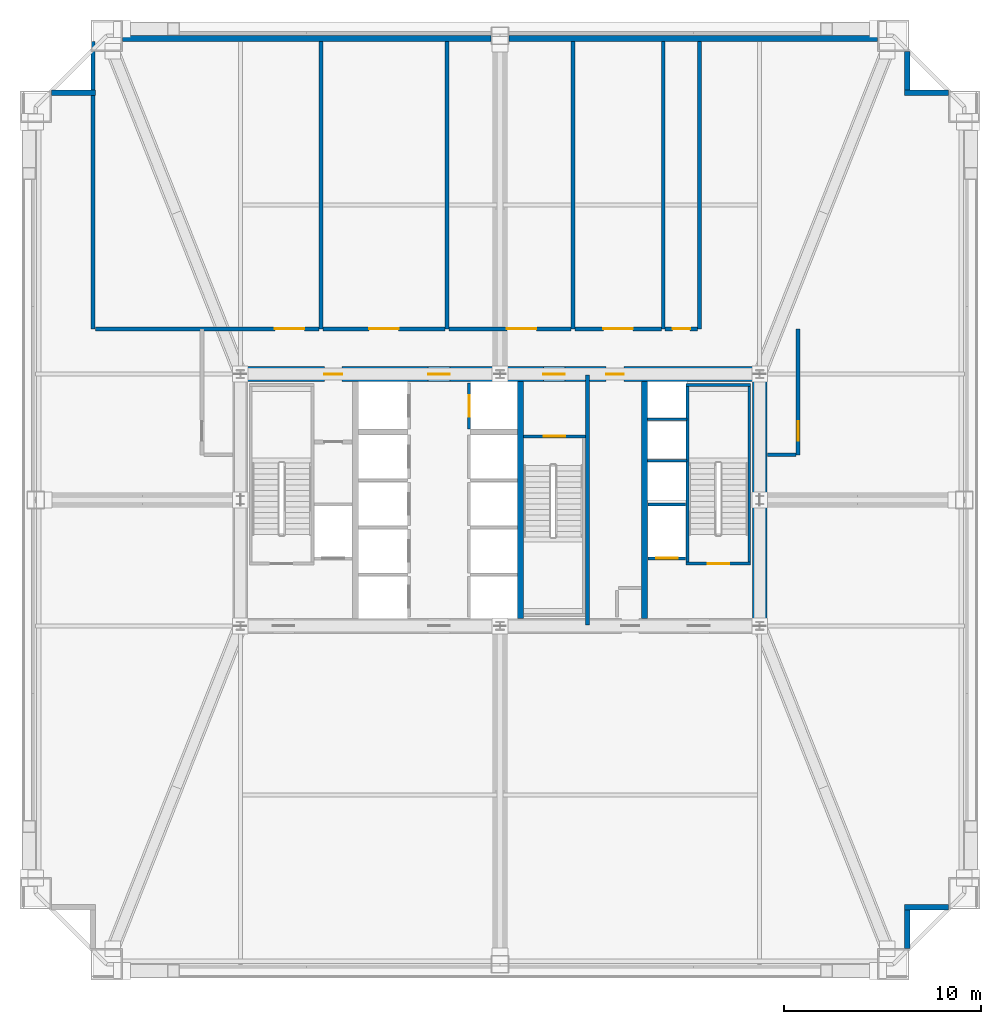
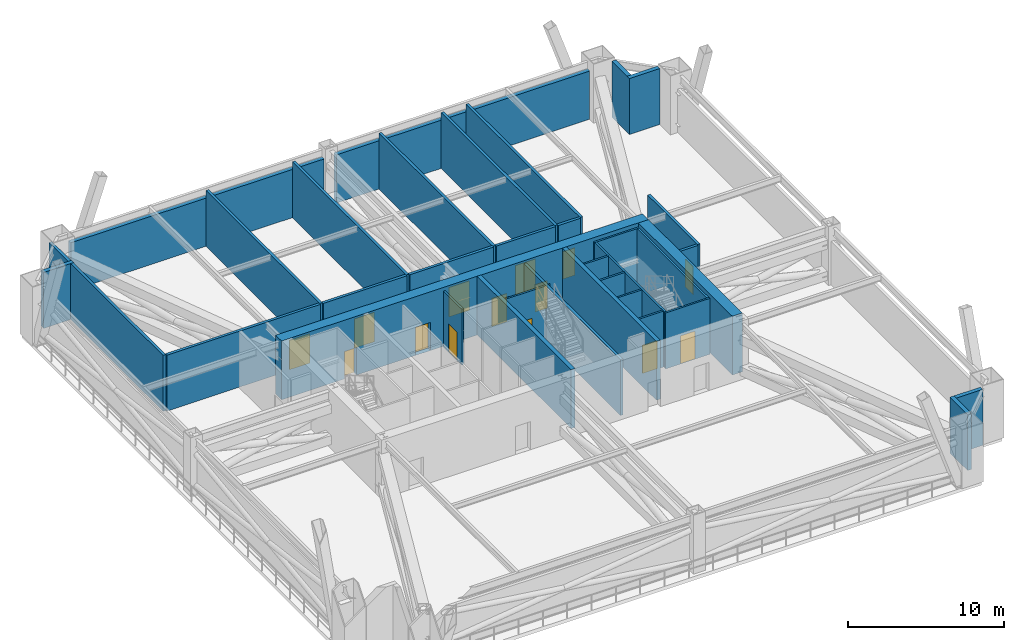
# One storey, part 5 of 10: 35 walls, 14 doors, 14 openings.
"""IFC4 building model written with IfcOpenShell, lengths in metres."""

from ifc_helpers import new_model, si_unit, direction, frame, frame_2d, origin, place, context, subcontext, project, spatial, rectangle, extrude, source, transform, mapped, material, layer, layer_set, type_object, element, fill, save


model = new_model("IFC4")

# Units and contexts
model_context = context("Model", 3, precision=1e-05, world=origin(), true_north=direction((0.0, 1.0)))
body_context = subcontext(model_context, "Body", "Model", "MODEL_VIEW")
ifc_project = project(units=[si_unit("LENGTHUNIT", "METRE"), si_unit("AREAUNIT", "SQUARE_METRE"), si_unit("VOLUMEUNIT", "CUBIC_METRE"), si_unit("PLANEANGLEUNIT", "RADIAN"), si_unit("MASSUNIT", "GRAM", prefix="KILO"), si_unit("THERMODYNAMICTEMPERATUREUNIT", "KELVIN"), si_unit("POWERUNIT", "WATT")], contexts=[model_context])

# Site, building, storey
site_placement = place(None, origin())
site = spatial("IfcSite", under=ifc_project, at=site_placement, CompositionType="ELEMENT")
building_placement = place(site_placement, origin())
building = spatial("IfcBuilding", under=site, at=building_placement, Name="Yuzanri Waterfront Tower", CompositionType="ELEMENT")
storey_placement = place(building_placement, frame((0.0, 0.0, 129.800048828125)))
storey = spatial("IfcBuildingStorey", under=building, at=storey_placement, Name="L34", CompositionType="ELEMENT", Elevation=129.800048828125)

# Wall, openings, doors
ifc_material_1 = material(Name="Concrete C55", Category="concrete")
ifc_layer_1 = layer(ifc_material_1, 0.75)
ifc_layer_set_1 = layer_set([ifc_layer_1], Name="Concrete C55")
wall_type_1 = type_object("IfcWallType", Name="Concrete C55 Low-Mid Zone Core Shear Wall 750", PredefinedType="SHEAR", material=ifc_layer_set_1)
wall_1_placement = place(storey_placement, frame((23.425048828125, 32.199951171875, 0.0), z_axis=(0.0, 0.0, 1.0), x_axis=(1.0, 0.0, 0.0)))
wall_1 = element("IfcWall", 1, at=wall_1_placement, inside=storey, type_object=wall_type_1, Name="L34 Core North Shear Wall", PredefinedType="SHEAR", context=body_context, shape_type="SweptSolid", body=[
    extrude(rectangle(XDim=27.14990234375, YDim=0.75, at=frame_2d((13.574951171875, 0.0))), origin(), (0.0, 0.0, 1.0), 4.599853515625),
])
opening_1_placement = place(wall_1_placement, frame((4.64501953125, 0.0, 0.0)))
opening_1 = element("IfcOpeningElement", 2, at=opening_1_placement, cuts=wall_1, Name="Opening FD-0900", PredefinedType="OPENING", context=body_context, shape_type="SweptSolid", body=[
    extrude(rectangle(XDim=0.89990234375, YDim=2.14990234375, at=frame_2d((0.449951171875, 1.074951171875))), frame((0.0, 0.389892578125, 0.0), z_axis=(0.0, -1.0, 0.0), x_axis=(1.0, 0.0, 0.0)), (0.0, 0.0, 1.0), 0.77978515625),
])
opening_2_placement = place(wall_1_placement, frame((9.925048828125, 0.0, 0.0)))
opening_2 = element("IfcOpeningElement", 3, at=opening_2_placement, cuts=wall_1, Name="Opening FD-1100", PredefinedType="OPENING", context=body_context, shape_type="SweptSolid", body=[
    extrude(rectangle(XDim=1.10009765625, YDim=2.199951171875, at=frame_2d((0.550048828125, 1.10009765625))), frame((0.0, 0.389892578125, 0.0), z_axis=(0.0, -1.0, 0.0), x_axis=(1.0, 0.0, 0.0)), (0.0, 0.0, 1.0), 0.77978515625),
])
opening_3_placement = place(wall_1_placement, frame((15.77490234375, 0.0, 0.0)))
opening_3 = element("IfcOpeningElement", 4, at=opening_3_placement, cuts=wall_1, Name="Opening FD-1100", PredefinedType="OPENING", context=body_context, shape_type="SweptSolid", body=[
    extrude(rectangle(XDim=1.10009765625, YDim=2.199951171875, at=frame_2d((0.550048828125, 1.10009765625))), frame((0.0, 0.389892578125, 0.0), z_axis=(0.0, -1.0, 0.0), x_axis=(1.0, 0.0, 0.0)), (0.0, 0.0, 1.0), 0.77978515625),
])
opening_4_placement = place(wall_1_placement, frame((18.97509765625, 0.0, 0.0)))
opening_4 = element("IfcOpeningElement", 5, at=opening_4_placement, cuts=wall_1, Name="Opening FD-0900", PredefinedType="OPENING", context=body_context, shape_type="SweptSolid", body=[
    extrude(rectangle(XDim=0.89990234375, YDim=2.14990234375, at=frame_2d((0.449951171875, 1.074951171875))), frame((0.0, 0.389892578125, 0.0), z_axis=(0.0, -1.0, 0.0), x_axis=(1.0, 0.0, 0.0)), (0.0, 0.0, 1.0), 0.77978515625),
])
ifc_material_2 = material(Name="Painted Galvanized Fire Steel", Category="steel")
door_type_1 = type_object("IfcDoorType", Name="Smoke-Proof Stair and Lobby Fire Door 1100x2200", OperationType="NOTDEFINED", PredefinedType="DOOR", material=ifc_material_2)
shared_shape_1 = source(origin(), body_context, "Body", "SweptSolid", [
    extrude(rectangle(XDim=1.10009765625, YDim=2.199951171875, at=frame_2d((0.550048828125, 1.10009765625))), frame((0.0, 0.02490234375, 0.0), z_axis=(0.0, -1.0, 0.0), x_axis=(1.0, 0.0, 0.0)), (0.0, 0.0, 1.0), 0.050048828125),
])
door_1_placement = place(opening_2_placement, origin())
door_1 = element("IfcDoor", 6, at=door_1_placement, inside=storey, type_object=door_type_1, Name="L34 Central Lift Lobby North Door", OperationType="SINGLE_SWING_RIGHT", OverallHeight=2.199951171875, OverallWidth=1.10009765625, PredefinedType="DOOR", context=body_context, shape_type="MappedRepresentation", body=[
    mapped(shared_shape_1, transform((0.0, 0.0, 0.0), scale=1.0)),
])
fill(opening_2, door_1)
door_2_placement = place(opening_3_placement, origin())
door_2 = element("IfcDoor", 7, at=door_2_placement, inside=storey, type_object=door_type_1, Name="L34 North Stair Lobby Door", OperationType="SINGLE_SWING_LEFT", OverallHeight=2.199951171875, OverallWidth=1.10009765625, PredefinedType="DOOR", context=body_context, shape_type="MappedRepresentation", body=[
    mapped(shared_shape_1, transform((0.0, 0.0, 0.0), scale=1.0)),
])
fill(opening_3, door_2)
ifc_material_3 = material(Name="Painted Galvanized Fire Steel", Category="steel")
door_type_2 = type_object("IfcDoorType", Name="Riser and Service Room Fire Door 900x2150", OperationType="NOTDEFINED", PredefinedType="DOOR", material=ifc_material_3)
shared_shape_2 = source(origin(), body_context, "Body", "SweptSolid", [
    extrude(rectangle(XDim=0.89990234375, YDim=2.14990234375, at=frame_2d((0.449951171875, 1.074951171875))), frame((0.0, 0.02490234375, 0.0), z_axis=(0.0, -1.0, 0.0), x_axis=(1.0, 0.0, 0.0)), (0.0, 0.0, 1.0), 0.050048828125),
])
door_3_placement = place(opening_1_placement, origin())
door_3 = element("IfcDoor", 8, at=door_3_placement, inside=storey, type_object=door_type_2, Name="L34 Telecom Riser Door", OperationType="SINGLE_SWING_LEFT", OverallHeight=2.14990234375, OverallWidth=0.89990234375, PredefinedType="DOOR", context=body_context, shape_type="MappedRepresentation", body=[
    mapped(shared_shape_2, transform((0.0, 0.0, 0.0), scale=1.0)),
])
fill(opening_1, door_3)
door_4_placement = place(opening_4_placement, origin())
door_4 = element("IfcDoor", 9, at=door_4_placement, inside=storey, type_object=door_type_2, Name="L34 Refuge Mechanical Equipment Store Room", OperationType="SINGLE_SWING_RIGHT", OverallHeight=2.14990234375, OverallWidth=0.89990234375, PredefinedType="DOOR", context=body_context, shape_type="MappedRepresentation", body=[
    mapped(shared_shape_2, transform((0.0, 0.0, 0.0), scale=1.0)),
])
fill(opening_4, door_4)

# Wall, opening, door
ifc_material_4 = material(Name="Concrete C40", Category="concrete")
ifc_layer_2 = layer(ifc_material_4, 0.139892578125)
ifc_layer_set_2 = layer_set([ifc_layer_2], Name="Concrete C40")
wall_type_2 = type_object("IfcWallType", Name="Core Stair Liner and Hoistway Shaft Wall 140", PredefinedType="SOLIDWALL", material=ifc_layer_set_2)
wall_2_placement = place(storey_placement, frame((44.52001953125, 22.830078125, 0.0), z_axis=(0.0, 0.0, 1.0), x_axis=(1.0, 0.0, 0.0)))
wall_2 = element("IfcWall", 10, at=wall_2_placement, inside=storey, type_object=wall_type_2, Name="L34 Lift FL-02 Front Shaft Wall", PredefinedType="SOLIDWALL", context=body_context, shape_type="SweptSolid", body=[
    extrude(rectangle(XDim=1.919921875, YDim=0.139892578125, at=frame_2d((0.9599609375, 0.0))), origin(), (0.0, 0.0, 1.0), 4.3798828125),
])
opening_5_placement = place(wall_2_placement, frame((0.409912109375, 0.0, 0.0)))
opening_5 = element("IfcOpeningElement", 11, at=opening_5_placement, cuts=wall_2, Name="Opening LD-FL-02", PredefinedType="OPENING", context=body_context, shape_type="SweptSolid", body=[
    extrude(rectangle(XDim=1.10009765625, YDim=2.199951171875, at=frame_2d((0.550048828125, 1.10009765625))), frame((0.0, 0.0849609375, 0.0), z_axis=(0.0, -1.0, 0.0), x_axis=(1.0, 0.0, 0.0)), (0.0, 0.0, 1.0), 0.169677734375),
])
ifc_material_5 = material(Name="Brushed Bronze and Stainless Steel Cab", Category="steel")
door_type_3 = type_object("IfcDoorType", Name="Center-Parting Bronze Lift Landing Sliding Door 1100x2200", OperationType="NOTDEFINED", PredefinedType="DOOR", material=ifc_material_5)
shared_shape_3 = source(origin(), body_context, "Body", "SweptSolid", [
    extrude(rectangle(XDim=1.10009765625, YDim=2.199951171875, at=frame_2d((0.550048828125, 1.10009765625))), frame((0.0, 0.02490234375, 0.0), z_axis=(0.0, -1.0, 0.0), x_axis=(1.0, 0.0, 0.0)), (0.0, 0.0, 1.0), 0.050048828125),
])
door_5_placement = place(opening_5_placement, origin())
door_5 = element("IfcDoor", 12, at=door_5_placement, inside=storey, type_object=door_type_3, Name="L34 FL-02 Lift Landing Sliding Door", OperationType="SLIDING_TO_RIGHT", OverallHeight=2.199951171875, OverallWidth=1.10009765625, PredefinedType="DOOR", context=body_context, shape_type="MappedRepresentation", body=[
    mapped(shared_shape_3, transform((0.0, 0.0, 0.0), scale=1.0)),
])
fill(opening_5, door_5)

wall_3_placement = place(storey_placement, frame((35.429931640625, 29.39990234375, 0.0), z_axis=(0.0, 0.0, 1.0), x_axis=(0.0, 1.0, 0.0)))
wall_3 = element("IfcWall", 13, at=wall_3_placement, inside=storey, type_object=wall_type_2, Name="L34 Lift SL-02 Front Shaft Wall", PredefinedType="SOLIDWALL", context=body_context, shape_type="SweptSolid", body=[
    extrude(rectangle(XDim=2.340087890625, YDim=0.139892578125, at=frame_2d((1.169921875, 0.0))), origin(), (0.0, 0.0, 1.0), 4.3798828125),
])
opening_6_placement = place(wall_3_placement, frame((0.6201171875, 0.0, 0.0)))
opening_6 = element("IfcOpeningElement", 14, at=opening_6_placement, cuts=wall_3, Name="Opening LD-SL-02", PredefinedType="OPENING", context=body_context, shape_type="SweptSolid", body=[
    extrude(rectangle(XDim=1.10009765625, YDim=2.199951171875, at=frame_2d((0.550048828125, 1.10009765625))), frame((0.0, 0.0849609375, 0.0), z_axis=(0.0, -1.0, 0.0), x_axis=(1.0, 0.0, 0.0)), (0.0, 0.0, 1.0), 0.169677734375),
])
door_6_placement = place(opening_6_placement, origin())
door_6 = element("IfcDoor", 15, at=door_6_placement, inside=storey, type_object=door_type_3, Name="L34 SL-02 Lift Landing Sliding Door", OperationType="SLIDING_TO_RIGHT", OverallHeight=2.199951171875, OverallWidth=1.10009765625, PredefinedType="DOOR", context=body_context, shape_type="MappedRepresentation", body=[
    mapped(shared_shape_3, transform((0.0, 0.0, 0.0), scale=1.0)),
])
fill(opening_6, door_6)

wall_4_placement = place(storey_placement, frame((46.4599609375, 22.570068359375, 0.0), z_axis=(0.0, 0.0, 1.0), x_axis=(1.0, 0.0, 0.0)))
wall_4 = element("IfcWall", 16, at=wall_4_placement, inside=storey, type_object=wall_type_2, Name="L34 Shaft Wall STW-L34-ST-02-S", PredefinedType="SOLIDWALL", context=body_context, shape_type="SweptSolid", body=[
    extrude(rectangle(XDim=3.280029296875, YDim=0.139892578125, at=frame_2d((1.64013671875, 0.0))), origin(), (0.0, 0.0, 1.0), 4.3798828125),
])
opening_7_placement = place(wall_4_placement, frame((1.090087890625, 0.0, 0.0)))
opening_7 = element("IfcOpeningElement", 17, at=opening_7_placement, cuts=wall_4, Name="Opening FD-1100", PredefinedType="OPENING", context=body_context, shape_type="SweptSolid", body=[
    extrude(rectangle(XDim=1.10009765625, YDim=2.199951171875, at=frame_2d((0.550048828125, 1.10009765625))), frame((0.0, 0.0849609375, 0.0), z_axis=(0.0, -1.0, 0.0), x_axis=(1.0, 0.0, 0.0)), (0.0, 0.0, 1.0), 0.169677734375),
])
door_7_placement = place(opening_7_placement, origin())
door_7 = element("IfcDoor", 18, at=door_7_placement, inside=storey, type_object=door_type_1, Name="L34 Stair ST-02 Fire Door", OperationType="SINGLE_SWING_RIGHT", OverallHeight=2.199951171875, OverallWidth=1.10009765625, PredefinedType="DOOR", context=body_context, shape_type="MappedRepresentation", body=[
    mapped(shared_shape_1, transform((0.0, 0.0, 0.0), scale=1.0)),
])
fill(opening_7, door_7)

wall_5_placement = place(storey_placement, frame((38.199951171875, 29.030029296875, 0.0), z_axis=(0.0, 0.0, 1.0), x_axis=(1.0, 0.0, 0.0)))
wall_5 = element("IfcWall", 19, at=wall_5_placement, inside=storey, type_object=wall_type_2, Name="L34 Shaft Wall STW-L34-ST-03-N", PredefinedType="SOLIDWALL", context=body_context, shape_type="SweptSolid", body=[
    extrude(rectangle(XDim=3.14013671875, YDim=0.139892578125, at=frame_2d((1.570068359375, 0.0))), origin(), (0.0, 0.0, 1.0), 4.3798828125),
])
opening_8_placement = place(wall_5_placement, frame((1.02001953125, 0.0, 0.0)))
opening_8 = element("IfcOpeningElement", 20, at=opening_8_placement, cuts=wall_5, Name="Opening FD-1100", PredefinedType="OPENING", context=body_context, shape_type="SweptSolid", body=[
    extrude(rectangle(XDim=1.10009765625, YDim=2.199951171875, at=frame_2d((0.550048828125, 1.10009765625))), frame((0.0, 0.0849609375, 0.0), z_axis=(0.0, -1.0, 0.0), x_axis=(1.0, 0.0, 0.0)), (0.0, 0.0, 1.0), 0.169677734375),
])
door_8_placement = place(opening_8_placement, origin())
door_8 = element("IfcDoor", 21, at=door_8_placement, inside=storey, type_object=door_type_1, Name="L34 Stair ST-03 Fire Door", OperationType="SINGLE_SWING_LEFT", OverallHeight=2.199951171875, OverallWidth=1.10009765625, PredefinedType="DOOR", context=body_context, shape_type="MappedRepresentation", body=[
    mapped(shared_shape_1, transform((0.0, 0.0, 0.0), scale=1.0)),
])
fill(opening_8, door_8)

ifc_material_6 = material(Name="Autoclaved Aerated Concrete Blockwork", Category="masonry")
ifc_layer_3 = layer(ifc_material_6, 0.199951171875)
ifc_layer_set_3 = layer_set([ifc_layer_3], Name="Autoclaved Aerated Concrete Blockwork")
wall_type_3 = type_object("IfcWallType", Name="Corridor and Unit Party Fire Wall 200", PredefinedType="PARTITIONING", material=ifc_layer_set_3)
wall_6_placement = place(storey_placement, frame((52.14990234375, 28.10009765625, 0.0), z_axis=(0.0, 0.0, 1.0), x_axis=(0.0, 1.0, 0.0)))
wall_6 = element("IfcWall", 22, at=wall_6_placement, inside=storey, type_object=wall_type_3, Name="L34 Partition RFW-L34-CE", PredefinedType="PARTITIONING", context=body_context, shape_type="SweptSolid", body=[
    extrude(rectangle(XDim=6.39990234375, YDim=0.199951171875, at=frame_2d((3.199951171875, 0.0))), origin(), (0.0, 0.0, 1.0), 4.3798828125),
])
opening_9_placement = place(wall_6_placement, frame((0.699951171875, 0.0, 0.0)))
opening_9 = element("IfcOpeningElement", 23, at=opening_9_placement, cuts=wall_6, Name="Opening TD-1000", PredefinedType="OPENING", context=body_context, shape_type="SweptSolid", body=[
    extrude(rectangle(XDim=1.0, YDim=2.199951171875, at=frame_2d((0.5, 1.10009765625))), frame((0.0, 0.11474609375, 0.0), z_axis=(0.0, -1.0, 0.0), x_axis=(1.0, 0.0, 0.0)), (0.0, 0.0, 1.0), 0.229736328125),
])
ifc_material_7 = material(Name="Anodized Architectural Bronze", Category="metal")
door_type_4 = type_object("IfcDoorType", Name="Anodized Bronze Refuge Deck Weatherproof Exit Door 1000x2200", OperationType="NOTDEFINED", PredefinedType="DOOR", material=ifc_material_7)
shared_shape_4 = source(origin(), body_context, "Body", "SweptSolid", [
    extrude(rectangle(XDim=1.0, YDim=2.199951171875, at=frame_2d((0.5, 1.10009765625))), frame((0.0, 0.02490234375, 0.0), z_axis=(0.0, -1.0, 0.0), x_axis=(1.0, 0.0, 0.0)), (0.0, 0.0, 1.0), 0.050048828125),
])
door_9_placement = place(opening_9_placement, origin())
door_9 = element("IfcDoor", 24, at=door_9_placement, inside=storey, type_object=door_type_4, Name="L34 East Refuge Deck Exit Door", OperationType="SINGLE_SWING_RIGHT", OverallHeight=2.199951171875, OverallWidth=1.0, PredefinedType="DOOR", context=body_context, shape_type="MappedRepresentation", body=[
    mapped(shared_shape_4, transform((0.0, 0.0, 0.0), scale=1.0)),
])
fill(opening_9, door_9)

wall_7_placement = place(storey_placement, frame((16.43994140625, 34.5, 0.0), z_axis=(0.0, 0.0, 1.0), x_axis=(1.0, 0.0, 0.0)))
wall_7 = element("IfcWall", 25, at=wall_7_placement, inside=storey, type_object=wall_type_3, Name="L34 Partition RFW-L34-016-S", PredefinedType="PARTITIONING", context=body_context, shape_type="SweptSolid", body=[
    extrude(rectangle(XDim=11.360107421875, YDim=0.199951171875, at=frame_2d((5.68017578125, 0.0))), origin(), (0.0, 0.0, 1.0), 4.3798828125),
])
opening_10_placement = place(wall_7_placement, frame((9.110107421875, 0.0, 0.0)))
opening_10 = element("IfcOpeningElement", 26, at=opening_10_placement, cuts=wall_7, Name="Opening FD-1500", PredefinedType="OPENING", context=body_context, shape_type="SweptSolid", body=[
    extrude(rectangle(XDim=1.5, YDim=2.300048828125, at=frame_2d((0.75, 1.14990234375))), frame((0.0, 0.11474609375, 0.0), z_axis=(0.0, -1.0, 0.0), x_axis=(1.0, 0.0, 0.0)), (0.0, 0.0, 1.0), 0.229736328125),
])
ifc_material_8 = material(Name="Painted Galvanized Fire Steel", Category="steel")
door_type_5 = type_object("IfcDoorType", Name="Plant and Ballroom Double Fire Door 1500x2300", OperationType="NOTDEFINED", PredefinedType="DOOR", material=ifc_material_8)
shared_shape_5 = source(origin(), body_context, "Body", "SweptSolid", [
    extrude(rectangle(XDim=1.5, YDim=2.300048828125, at=frame_2d((0.75, 1.14990234375))), frame((0.0, 0.02490234375, 0.0), z_axis=(0.0, -1.0, 0.0), x_axis=(1.0, 0.0, 0.0)), (0.0, 0.0, 1.0), 0.050048828125),
])
door_10_placement = place(opening_10_placement, origin())
door_10 = element("IfcDoor", 27, at=door_10_placement, inside=storey, type_object=door_type_5, Name="L34 Air-Handling Plant Room", OperationType="DOUBLE_DOOR_SINGLE_SWING", OverallHeight=2.300048828125, OverallWidth=1.5, PredefinedType="DOOR", context=body_context, shape_type="MappedRepresentation", body=[
    mapped(shared_shape_5, transform((0.0, 0.0, 0.0), scale=1.0)),
])
fill(opening_10, door_10)

wall_8_placement = place(storey_placement, frame((28.0, 34.5, 0.0), z_axis=(0.0, 0.0, 1.0), x_axis=(1.0, 0.0, 0.0)))
wall_8 = element("IfcWall", 28, at=wall_8_placement, inside=storey, type_object=wall_type_3, Name="L34 Partition RFW-L34-017-S", PredefinedType="PARTITIONING", context=body_context, shape_type="SweptSolid", body=[
    extrude(rectangle(XDim=6.199951171875, YDim=0.199951171875, at=frame_2d((3.10009765625, 0.0))), origin(), (0.0, 0.0, 1.0), 4.3798828125),
])
opening_11_placement = place(wall_8_placement, frame((2.35009765625, 0.0, 0.0)))
opening_11 = element("IfcOpeningElement", 29, at=opening_11_placement, cuts=wall_8, Name="Opening FD-1500", PredefinedType="OPENING", context=body_context, shape_type="SweptSolid", body=[
    extrude(rectangle(XDim=1.5, YDim=2.300048828125, at=frame_2d((0.75, 1.14990234375))), frame((0.0, 0.11474609375, 0.0), z_axis=(0.0, -1.0, 0.0), x_axis=(1.0, 0.0, 0.0)), (0.0, 0.0, 1.0), 0.229736328125),
])
door_11_placement = place(opening_11_placement, origin())
door_11 = element("IfcDoor", 30, at=door_11_placement, inside=storey, type_object=door_type_5, Name="L34 Fire Booster and Transfer Pump Plant Room", OperationType="DOUBLE_DOOR_SINGLE_SWING", OverallHeight=2.300048828125, OverallWidth=1.5, PredefinedType="DOOR", context=body_context, shape_type="MappedRepresentation", body=[
    mapped(shared_shape_5, transform((0.0, 0.0, 0.0), scale=1.0)),
])
fill(opening_11, door_11)

wall_9_placement = place(storey_placement, frame((34.39990234375, 34.5, 0.0), z_axis=(0.0, 0.0, 1.0), x_axis=(1.0, 0.0, 0.0)))
wall_9 = element("IfcWall", 31, at=wall_9_placement, inside=storey, type_object=wall_type_3, Name="L34 Partition RFW-L34-018-S", PredefinedType="PARTITIONING", context=body_context, shape_type="SweptSolid", body=[
    extrude(rectangle(XDim=6.2001953125, YDim=0.199951171875, at=frame_2d((3.10009765625, 0.0))), origin(), (0.0, 0.0, 1.0), 4.3798828125),
])
opening_12_placement = place(wall_9_placement, frame((2.949951171875, 0.0, 0.0)))
opening_12 = element("IfcOpeningElement", 32, at=opening_12_placement, cuts=wall_9, Name="Opening FD-1500", PredefinedType="OPENING", context=body_context, shape_type="SweptSolid", body=[
    extrude(rectangle(XDim=1.5, YDim=2.300048828125, at=frame_2d((0.75, 1.14990234375))), frame((0.0, 0.11474609375, 0.0), z_axis=(0.0, -1.0, 0.0), x_axis=(1.0, 0.0, 0.0)), (0.0, 0.0, 1.0), 0.229736328125),
])
door_12_placement = place(opening_12_placement, origin())
door_12 = element("IfcDoor", 33, at=door_12_placement, inside=storey, type_object=door_type_5, Name="L34 Plate Heat-Exchanger Plant Room", OperationType="DOUBLE_DOOR_SINGLE_SWING", OverallHeight=2.300048828125, OverallWidth=1.5, PredefinedType="DOOR", context=body_context, shape_type="MappedRepresentation", body=[
    mapped(shared_shape_5, transform((0.0, 0.0, 0.0), scale=1.0)),
])
fill(opening_12, door_12)

wall_10_placement = place(storey_placement, frame((40.800048828125, 34.5, 0.0), z_axis=(0.0, 0.0, 1.0), x_axis=(1.0, 0.0, 0.0)))
wall_10 = element("IfcWall", 34, at=wall_10_placement, inside=storey, type_object=wall_type_3, Name="L34 Partition RFW-L34-019-S", PredefinedType="PARTITIONING", context=body_context, shape_type="SweptSolid", body=[
    extrude(rectangle(XDim=4.39990234375, YDim=0.199951171875, at=frame_2d((2.199951171875, 0.0))), origin(), (0.0, 0.0, 1.0), 4.3798828125),
])
opening_13_placement = place(wall_10_placement, frame((1.449951171875, 0.0, 0.0)))
opening_13 = element("IfcOpeningElement", 35, at=opening_13_placement, cuts=wall_10, Name="Opening FD-1500", PredefinedType="OPENING", context=body_context, shape_type="SweptSolid", body=[
    extrude(rectangle(XDim=1.5, YDim=2.300048828125, at=frame_2d((0.75, 1.14990234375))), frame((0.0, 0.11474609375, 0.0), z_axis=(0.0, -1.0, 0.0), x_axis=(1.0, 0.0, 0.0)), (0.0, 0.0, 1.0), 0.229736328125),
])
door_13_placement = place(opening_13_placement, origin())
door_13 = element("IfcDoor", 36, at=door_13_placement, inside=storey, type_object=door_type_5, Name="L34 Electrical Transformer and UPS Room", OperationType="DOUBLE_DOOR_SINGLE_SWING", OverallHeight=2.300048828125, OverallWidth=1.5, PredefinedType="DOOR", context=body_context, shape_type="MappedRepresentation", body=[
    mapped(shared_shape_5, transform((0.0, 0.0, 0.0), scale=1.0)),
])
fill(opening_13, door_13)

wall_11_placement = place(storey_placement, frame((45.39990234375, 34.5, 0.0), z_axis=(0.0, 0.0, 1.0), x_axis=(1.0, 0.0, 0.0)))
wall_11 = element("IfcWall", 37, at=wall_11_placement, inside=storey, type_object=wall_type_3, Name="L34 Partition RFW-L34-020-S", PredefinedType="PARTITIONING", context=body_context, shape_type="SweptSolid", body=[
    extrude(rectangle(XDim=1.650146484375, YDim=0.199951171875, at=frame_2d((0.8251953125, 0.0))), origin(), (0.0, 0.0, 1.0), 4.3798828125),
])
opening_14_placement = place(wall_11_placement, frame((0.3701171875, 0.0, 0.0)))
opening_14 = element("IfcOpeningElement", 38, at=opening_14_placement, cuts=wall_11, Name="Opening FD-0900", PredefinedType="OPENING", context=body_context, shape_type="SweptSolid", body=[
    extrude(rectangle(XDim=0.89990234375, YDim=2.14990234375, at=frame_2d((0.449951171875, 1.074951171875))), frame((0.0, 0.11474609375, 0.0), z_axis=(0.0, -1.0, 0.0), x_axis=(1.0, 0.0, 0.0)), (0.0, 0.0, 1.0), 0.229736328125),
])
door_14_placement = place(opening_14_placement, origin())
door_14 = element("IfcDoor", 39, at=door_14_placement, inside=storey, type_object=door_type_2, Name="L34 Refuge Accessible WC", OperationType="SINGLE_SWING_LEFT", OverallHeight=2.14990234375, OverallWidth=0.89990234375, PredefinedType="DOOR", context=body_context, shape_type="MappedRepresentation", body=[
    mapped(shared_shape_2, transform((0.0, 0.0, 0.0), scale=1.0)),
])
fill(opening_14, door_14)

# Walls
shared_shape_6 = source(origin(), body_context, "Body", "SweptSolid", [
    extrude(rectangle(XDim=12.050048828125, YDim=0.75, at=frame_2d((6.02490234375, 0.0))), origin(), (0.0, 0.0, 1.0), 4.599853515625),
])
wall_12_placement = place(storey_placement, frame((50.199951171875, 19.77490234375, 0.0), z_axis=(0.0, 0.0, 1.0), x_axis=(0.0, 1.0, 0.0)))
element("IfcWall", 40, at=wall_12_placement, inside=storey, type_object=wall_type_1, Name="L34 Core East Shear Wall", PredefinedType="SHEAR", context=body_context, shape_type="MappedRepresentation", body=[
    mapped(shared_shape_6, transform((0.0, 0.0, 0.0), scale=1.0)),
])
ifc_material_9 = material(Name="Concrete C50", Category="concrete")
ifc_layer_4 = layer(ifc_material_9, 0.300048828125)
ifc_layer_set_4 = layer_set([ifc_layer_4], Name="Concrete C50")
wall_type_4 = type_object("IfcWallType", Name="Concrete C50 Internal Core Shaft Structural Wall 300", PredefinedType="SOLIDWALL", material=ifc_layer_set_4)
shared_shape_7 = source(origin(), body_context, "Body", "SweptSolid", [
    extrude(rectangle(XDim=12.050048828125, YDim=0.300048828125, at=frame_2d((6.02490234375, 0.0))), origin(), (0.0, 0.0, 1.0), 4.599853515625),
])
for number, where, z_axis, x_axis, name in (
    (41, (38.050048828125, 19.77490234375, 0.0), (0.0, 0.0, 1.0), (0.0, 1.0, 0.0), "L34 Core Internal Structural Web Wall 2"),
    (42, (44.35009765625, 19.77490234375, 0.0), (0.0, 0.0, 1.0), (0.0, 1.0, 0.0), "L34 Core Internal Structural Web Wall 3"),
):
    element("IfcWall", number, at=place(storey_placement, frame(where, z_axis=z_axis, x_axis=x_axis)), inside=storey, type_object=wall_type_4, Name=name, PredefinedType="SOLIDWALL", context=body_context, shape_type="MappedRepresentation", body=[
        mapped(shared_shape_7, transform((0.0, 0.0, 0.0), scale=1.0)),
    ])
ifc_material_10 = material(Name="Honed Chongqing Dark Basalt Stone", Category="masonry")
ifc_layer_5 = layer(ifc_material_10, 0.300048828125)
ifc_layer_set_5 = layer_set([ifc_layer_5], Name="Honed Chongqing Dark Basalt Stone")
wall_type_5 = type_object("IfcWallType", Name="Bronze Rainscreen Insulated Spandrel Portal Wall 300", PredefinedType="SOLIDWALL", material=ifc_layer_set_5)
shared_shape_8 = source(origin(), body_context, "Body", "SweptSolid", [
    extrude(rectangle(XDim=2.25, YDim=0.300048828125, at=frame_2d((1.125, 0.0))), origin(), (0.0, 0.0, 1.0), 4.3798828125),
])
for number, where, z_axis, x_axis, name in (
    (43, (57.550048828125, 5.10009765625, 0.0), (0.0, 0.0, 1.0), (1.0, 0.0, 0.0), "L34 Notched Corner Masonry Wall SE-X"),
    (44, (57.699951171875, 3.0, 0.0), (0.0, 0.0, 1.0), (0.0, 1.0, 0.0), "L34 Notched Corner Masonry Wall SE-Y"),
    (45, (16.449951171875, 46.5, 0.0), (0.0, 0.0, 1.0), (-1.0, 0.0, 0.0), "L34 Notched Corner Masonry Wall NW-X"),
    (46, (59.800048828125, 46.5, 0.0), (0.0, 0.0, 1.0), (-1.0, 0.0, 0.0), "L34 Notched Corner Masonry Wall NE-X"),
    (47, (57.699951171875, 46.35009765625, 0.0), (0.0, 0.0, 1.0), (0.0, 1.0, 0.0), "L34 Notched Corner Masonry Wall NE-Y"),
):
    element("IfcWall", number, at=place(storey_placement, frame(where, z_axis=z_axis, x_axis=x_axis)), inside=storey, type_object=wall_type_5, Name=name, PredefinedType="SOLIDWALL", context=body_context, shape_type="MappedRepresentation", body=[
        mapped(shared_shape_8, transform((0.0, 0.0, 0.0), scale=1.0)),
    ])
shared_shape_9 = source(origin(), body_context, "Body", "SweptSolid", [
    extrude(rectangle(XDim=18.75, YDim=0.300048828125, at=frame_2d((9.375, 0.0))), origin(), (0.0, 0.0, 1.0), 3.77490234375),
])
for number, where, z_axis, x_axis, name in (
    (48, (17.800048828125, 49.25, 0.0), (0.0, 0.0, 1.0), (1.0, 0.0, 0.0), "L34 Refuge Plant North-West Wall"),
    (49, (37.449951171875, 49.25, 0.0), (0.0, 0.0, 1.0), (1.0, 0.0, 0.0), "L34 Refuge Plant North-East Wall"),
):
    element("IfcWall", number, at=place(storey_placement, frame(where, z_axis=z_axis, x_axis=x_axis)), inside=storey, type_object=wall_type_5, Name=name, PredefinedType="SOLIDWALL", context=body_context, shape_type="MappedRepresentation", body=[
        mapped(shared_shape_9, transform((0.0, 0.0, 0.0), scale=1.0)),
    ])
shared_shape_10 = source(origin(), body_context, "Body", "SweptSolid", [
    extrude(rectangle(XDim=1.919921875, YDim=0.139892578125, at=frame_2d((0.9599609375, 0.0))), origin(), (0.0, 0.0, 1.0), 4.3798828125),
])
wall_13_placement = place(storey_placement, frame((44.52001953125, 25.570068359375, 0.0), z_axis=(0.0, 0.0, 1.0), x_axis=(1.0, 0.0, 0.0)))
element("IfcWall", 50, at=wall_13_placement, inside=storey, type_object=wall_type_2, Name="L34 Lift FL-02 Back Shaft Wall", PredefinedType="SOLIDWALL", context=body_context, shape_type="MappedRepresentation", body=[
    mapped(shared_shape_10, transform((0.0, 0.0, 0.0), scale=1.0)),
])
shared_shape_11 = source(origin(), body_context, "Body", "SweptSolid", [
    extrude(rectangle(XDim=2.0, YDim=0.139892578125, at=frame_2d((1.0, 0.0))), origin(), (0.0, 0.0, 1.0), 4.3798828125),
])
for number, where, z_axis, x_axis, name in (
    (51, (44.5, 27.800048828125, 0.0), (0.0, 0.0, 1.0), (1.0, 0.0, 0.0), "L34 Lift PL-09 Divider Wall"),
    (52, (44.5, 29.89990234375, 0.0), (0.0, 0.0, 1.0), (1.0, 0.0, 0.0), "L34 Lift PL-10 Divider Wall"),
):
    element("IfcWall", number, at=place(storey_placement, frame(where, z_axis=z_axis, x_axis=x_axis)), inside=storey, type_object=wall_type_2, Name=name, PredefinedType="SOLIDWALL", context=body_context, shape_type="MappedRepresentation", body=[
        mapped(shared_shape_11, transform((0.0, 0.0, 0.0), scale=1.0)),
    ])
shared_shape_12 = source(origin(), body_context, "Body", "SweptSolid", [
    extrude(rectangle(XDim=3.280029296875, YDim=0.139892578125, at=frame_2d((1.64013671875, 0.0))), origin(), (0.0, 0.0, 1.0), 4.3798828125),
])
wall_14_placement = place(storey_placement, frame((46.4599609375, 31.64990234375, 0.0), z_axis=(0.0, 0.0, 1.0), x_axis=(1.0, 0.0, 0.0)))
element("IfcWall", 53, at=wall_14_placement, inside=storey, type_object=wall_type_2, Name="L34 Stair ST-02 North Shaft Wall", PredefinedType="SOLIDWALL", context=body_context, shape_type="MappedRepresentation", body=[
    mapped(shared_shape_12, transform((0.0, 0.0, 0.0), scale=1.0)),
])
shared_shape_13 = source(origin(), body_context, "Body", "SweptSolid", [
    extrude(rectangle(XDim=8.940185546875, YDim=0.139892578125, at=frame_2d((4.47021484375, 0.0))), origin(), (0.0, 0.0, 1.0), 4.3798828125),
])
for number, where, z_axis, x_axis, name in (
    (54, (46.530029296875, 22.639892578125, 0.0), (0.0, 0.0, 1.0), (0.0, 1.0, 0.0), "L34 Stair ST-02 West Shaft Wall"),
    (55, (49.669921875, 22.639892578125, 0.0), (0.0, 0.0, 1.0), (0.0, 1.0, 0.0), "L34 Stair ST-02 East Shaft Wall"),
):
    element("IfcWall", number, at=place(storey_placement, frame(where, z_axis=z_axis, x_axis=x_axis)), inside=storey, type_object=wall_type_2, Name=name, PredefinedType="SOLIDWALL", context=body_context, shape_type="MappedRepresentation", body=[
        mapped(shared_shape_13, transform((0.0, 0.0, 0.0), scale=1.0)),
    ])
shared_shape_14 = source(origin(), body_context, "Body", "SweptSolid", [
    extrude(rectangle(XDim=12.719970703125, YDim=0.199951171875, at=frame_2d((6.35986328125, 0.0))), origin(), (0.0, 0.0, 1.0), 4.3798828125),
])
wall_15_placement = place(storey_placement, frame((41.449951171875, 19.43994140625, 0.0), z_axis=(0.0, 0.0, 1.0), x_axis=(0.0, 1.0, 0.0)))
element("IfcWall", 56, at=wall_15_placement, inside=storey, type_object=wall_type_3, Name="L34 Core BOH West Wall 1", PredefinedType="PARTITIONING", context=body_context, shape_type="MappedRepresentation", body=[
    mapped(shared_shape_14, transform((0.0, 0.0, 0.0), scale=1.0)),
])
shared_shape_15 = source(origin(), body_context, "Body", "SweptSolid", [
    extrude(rectangle(XDim=14.60009765625, YDim=0.199951171875, at=frame_2d((7.300048828125, 0.0))), origin(), (0.0, 0.0, 1.0), 4.3798828125),
])
for number, where, z_axis, x_axis, name in (
    (57, (16.300048828125, 34.5, 0.0), (0.0, 0.0, 1.0), (0.0, 1.0, 0.0), "L34 Plant West Wall"),
    (58, (27.89990234375, 34.5, 0.0), (0.0, 0.0, 1.0), (0.0, 1.0, 0.0), "L34-016 Plant Demising Wall"),
    (59, (34.300048828125, 34.5, 0.0), (0.0, 0.0, 1.0), (0.0, 1.0, 0.0), "L34-017 Plant Demising Wall"),
    (60, (40.699951171875, 34.5, 0.0), (0.0, 0.0, 1.0), (0.0, 1.0, 0.0), "L34-018 Plant Demising Wall"),
    (61, (45.300048828125, 34.5, 0.0), (0.0, 0.0, 1.0), (0.0, 1.0, 0.0), "L34-019 Plant Demising Wall"),
    (62, (47.14990234375, 34.5, 0.0), (0.0, 0.0, 1.0), (0.0, 1.0, 0.0), "L34-020 Plant Demising Wall"),
):
    element("IfcWall", number, at=place(storey_placement, frame(where, z_axis=z_axis, x_axis=x_axis)), inside=storey, type_object=wall_type_3, Name=name, PredefinedType="PARTITIONING", context=body_context, shape_type="MappedRepresentation", body=[
        mapped(shared_shape_15, transform((0.0, 0.0, 0.0), scale=1.0)),
    ])
shared_shape_16 = source(origin(), body_context, "Body", "SweptSolid", [
    extrude(rectangle(XDim=1.455078125, YDim=0.199951171875, at=frame_2d((0.7275390625, 0.0))), origin(), (0.0, 0.0, 1.0), 4.3798828125),
])
wall_16_placement = place(storey_placement, frame((50.594970703125, 28.10009765625, 0.0), z_axis=(0.0, 0.0, 1.0), x_axis=(1.0, 0.0, 0.0)))
element("IfcWall", 63, at=wall_16_placement, inside=storey, type_object=wall_type_3, Name="L34 East Refuge Vestibule South Wall", PredefinedType="PARTITIONING", context=body_context, shape_type="MappedRepresentation", body=[
    mapped(shared_shape_16, transform((0.0, 0.0, 0.0), scale=1.0)),
])

save(model, "model.ifc")
